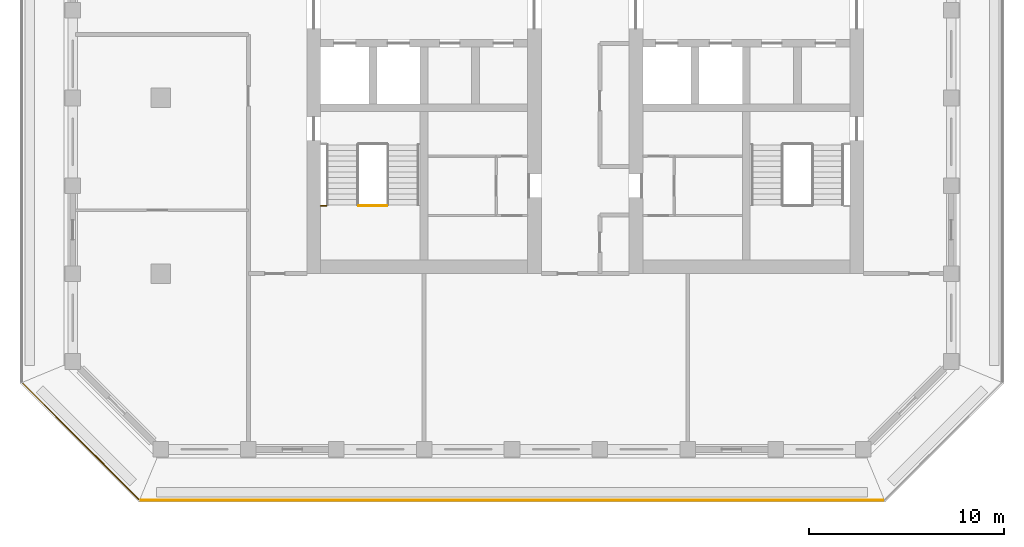
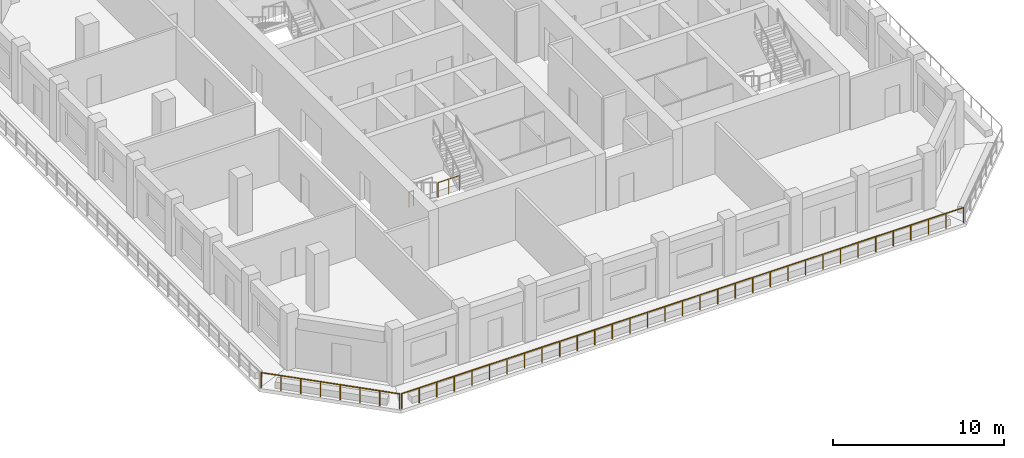
# One storey, part 8 of 14: 4 railings.
"""IFC4 building model written with IfcOpenShell, lengths in metres."""

from ifc_helpers import new_model, si_unit, direction, frame, origin, origin_2d, place, context, subcontext, project, spatial, circle, extrude, material, type_object, element, save


model = new_model("IFC4")

# Units and contexts
model_context = context("Model", 3, precision=1e-05, world=origin(), true_north=direction((0.0, 1.0)))
body_context = subcontext(model_context, "Body", "Model", "MODEL_VIEW")
ifc_project = project(units=[si_unit("LENGTHUNIT", "METRE"), si_unit("AREAUNIT", "SQUARE_METRE"), si_unit("VOLUMEUNIT", "CUBIC_METRE"), si_unit("PLANEANGLEUNIT", "RADIAN"), si_unit("MASSUNIT", "GRAM", prefix="KILO")], contexts=[model_context])

# Site, building, storey
site_placement = place(None, origin())
site = spatial("IfcSite", under=ifc_project, at=site_placement, CompositionType="ELEMENT")
building_placement = place(site_placement, origin())
building = spatial("IfcBuilding", under=site, at=building_placement, Name="Corbel Stack Research Tower", CompositionType="ELEMENT")
storey_placement = place(building_placement, frame((0.0, 0.0, 278.60009765625)))
storey = spatial("IfcBuildingStorey", under=building, at=storey_placement, Name="L63", CompositionType="ELEMENT", Elevation=278.60009765625)

# Railings
ifc_material_1 = material(Name="Steel S355", Category="steel")
railing_type_1 = type_object("IfcRailingType", Name="Stair guard 1100", PredefinedType="GUARDRAIL", material=ifc_material_1)
railing_1_placement = place(storey_placement, frame((-7.85009765625, -5.530029296875, 2.0498046875)))
element("IfcRailing", 1, at=railing_1_placement, inside=storey, type_object=railing_type_1, Name="L63 ST-W1 stair guard 2", PredefinedType="GUARDRAIL", context=body_context, shape_type="SweptSolid", body=[
    extrude(circle(Radius=0.02392578125, at=origin_2d()), frame((0.0, 0.0, 1.076171875), z_axis=(1.0, 0.0, 0.0), x_axis=(0.0, 1.0, 0.0)), (0.0, 0.0, 1.0), 1.4501953125),
    extrude(circle(Radius=0.02099609375, at=origin_2d()), origin(), (0.0, 0.0, 1.0), 1.052001953125),
    extrude(circle(Radius=0.02099609375, at=origin_2d()), frame((0.72509765625, 0.0, 0.0)), (0.0, 0.0, 1.0), 1.052001953125),
    extrude(circle(Radius=0.02099609375, at=origin_2d()), frame((1.4501953125, 0.0, 0.0)), (0.0, 0.0, 1.0), 1.052001953125),
])
railing_2_placement = place(storey_placement, frame((-9.800048828125, -5.530029296875, 2.0498046875)))
element("IfcRailing", 2, at=railing_2_placement, inside=storey, type_object=railing_type_1, Name="L63 ST-W1 stair guard 3", PredefinedType="GUARDRAIL", context=body_context, shape_type="SweptSolid", body=[
    extrude(circle(Radius=0.02392578125, at=origin_2d()), frame((0.0, 0.0, 1.076171875), z_axis=(1.0, 0.0, 0.0), x_axis=(0.0, 1.0, 0.0)), (0.0, 0.0, 1.0), 0.300048828125),
    extrude(circle(Radius=0.02099609375, at=origin_2d()), origin(), (0.0, 0.0, 1.0), 1.052001953125),
    extrude(circle(Radius=0.02099609375, at=origin_2d()), frame((0.300048828125, 0.0, 0.0)), (0.0, 0.0, 1.0), 1.052001953125),
])
ifc_material_2 = material(Name="Powder-coated steel guard", Category="steel")
railing_type_2 = type_object("IfcRailingType", Name="Steel and glass guard 1100", PredefinedType="GUARDRAIL", material=ifc_material_2)
railing_3_placement = place(storey_placement, frame((-19.00537109375, -20.60009765625, 0.0)))
element("IfcRailing", 3, at=railing_3_placement, inside=storey, type_object=railing_type_2, Name="Loggia guard L63 S", PredefinedType="GUARDRAIL", context=body_context, shape_type="SweptSolid", body=[
    extrude(circle(Radius=0.02392578125, at=origin_2d()), frame((0.0, 0.0, 1.076171875), z_axis=(1.0, 0.0, 0.0), x_axis=(0.0, 1.0, 0.0)), (0.0, 0.0, 1.0), 38.0107421875),
    extrude(circle(Radius=0.02099609375, at=origin_2d()), origin(), (0.0, 0.0, 1.0), 1.052001953125),
    extrude(circle(Radius=0.02099609375, at=origin_2d()), frame((1.187744140625, 0.0, 0.0)), (0.0, 0.0, 1.0), 1.052001953125),
    extrude(circle(Radius=0.02099609375, at=origin_2d()), frame((2.375732421875, 0.0, 0.0)), (0.0, 0.0, 1.0), 1.052001953125),
    extrude(circle(Radius=0.02099609375, at=origin_2d()), frame((3.5634765625, 0.0, 0.0)), (0.0, 0.0, 1.0), 1.052001953125),
    extrude(circle(Radius=0.02099609375, at=origin_2d()), frame((4.75146484375, 0.0, 0.0)), (0.0, 0.0, 1.0), 1.052001953125),
    extrude(circle(Radius=0.02099609375, at=origin_2d()), frame((5.939208984375, 0.0, 0.0)), (0.0, 0.0, 1.0), 1.052001953125),
    extrude(circle(Radius=0.02099609375, at=origin_2d()), frame((7.126953125, 0.0, 0.0)), (0.0, 0.0, 1.0), 1.052001953125),
    extrude(circle(Radius=0.02099609375, at=origin_2d()), frame((8.31494140625, 0.0, 0.0)), (0.0, 0.0, 1.0), 1.052001953125),
    extrude(circle(Radius=0.02099609375, at=origin_2d()), frame((9.502685546875, 0.0, 0.0)), (0.0, 0.0, 1.0), 1.052001953125),
    extrude(circle(Radius=0.02099609375, at=origin_2d()), frame((10.6904296875, 0.0, 0.0)), (0.0, 0.0, 1.0), 1.052001953125),
    extrude(circle(Radius=0.02099609375, at=origin_2d()), frame((11.87841796875, 0.0, 0.0)), (0.0, 0.0, 1.0), 1.052001953125),
    extrude(circle(Radius=0.02099609375, at=origin_2d()), frame((13.066162109375, 0.0, 0.0)), (0.0, 0.0, 1.0), 1.052001953125),
    extrude(circle(Radius=0.02099609375, at=origin_2d()), frame((14.25390625, 0.0, 0.0)), (0.0, 0.0, 1.0), 1.052001953125),
    extrude(circle(Radius=0.02099609375, at=origin_2d()), frame((15.44189453125, 0.0, 0.0)), (0.0, 0.0, 1.0), 1.052001953125),
    extrude(circle(Radius=0.02099609375, at=origin_2d()), frame((16.629638671875, 0.0, 0.0)), (0.0, 0.0, 1.0), 1.052001953125),
    extrude(circle(Radius=0.02099609375, at=origin_2d()), frame((17.817626953125, 0.0, 0.0)), (0.0, 0.0, 1.0), 1.052001953125),
    extrude(circle(Radius=0.02099609375, at=origin_2d()), frame((19.00537109375, 0.0, 0.0)), (0.0, 0.0, 1.0), 1.052001953125),
    extrude(circle(Radius=0.02099609375, at=origin_2d()), frame((20.193115234375, 0.0, 0.0)), (0.0, 0.0, 1.0), 1.052001953125),
    extrude(circle(Radius=0.02099609375, at=origin_2d()), frame((21.381103515625, 0.0, 0.0)), (0.0, 0.0, 1.0), 1.052001953125),
    extrude(circle(Radius=0.02099609375, at=origin_2d()), frame((22.56884765625, 0.0, 0.0)), (0.0, 0.0, 1.0), 1.052001953125),
    extrude(circle(Radius=0.02099609375, at=origin_2d()), frame((23.7568359375, 0.0, 0.0)), (0.0, 0.0, 1.0), 1.052001953125),
    extrude(circle(Radius=0.02099609375, at=origin_2d()), frame((24.944580078125, 0.0, 0.0)), (0.0, 0.0, 1.0), 1.052001953125),
    extrude(circle(Radius=0.02099609375, at=origin_2d()), frame((26.13232421875, 0.0, 0.0)), (0.0, 0.0, 1.0), 1.052001953125),
    extrude(circle(Radius=0.02099609375, at=origin_2d()), frame((27.3203125, 0.0, 0.0)), (0.0, 0.0, 1.0), 1.052001953125),
    extrude(circle(Radius=0.02099609375, at=origin_2d()), frame((28.508056640625, 0.0, 0.0)), (0.0, 0.0, 1.0), 1.052001953125),
    extrude(circle(Radius=0.02099609375, at=origin_2d()), frame((29.69580078125, 0.0, 0.0)), (0.0, 0.0, 1.0), 1.052001953125),
    extrude(circle(Radius=0.02099609375, at=origin_2d()), frame((30.8837890625, 0.0, 0.0)), (0.0, 0.0, 1.0), 1.052001953125),
    extrude(circle(Radius=0.02099609375, at=origin_2d()), frame((32.071533203125, 0.0, 0.0)), (0.0, 0.0, 1.0), 1.052001953125),
    extrude(circle(Radius=0.02099609375, at=origin_2d()), frame((33.25927734375, 0.0, 0.0)), (0.0, 0.0, 1.0), 1.052001953125),
    extrude(circle(Radius=0.02099609375, at=origin_2d()), frame((34.447265625, 0.0, 0.0)), (0.0, 0.0, 1.0), 1.052001953125),
    extrude(circle(Radius=0.02099609375, at=origin_2d()), frame((35.635009765625, 0.0, 0.0)), (0.0, 0.0, 1.0), 1.052001953125),
    extrude(circle(Radius=0.02099609375, at=origin_2d()), frame((36.822998046875, 0.0, 0.0)), (0.0, 0.0, 1.0), 1.052001953125),
    extrude(circle(Radius=0.02099609375, at=origin_2d()), frame((38.0107421875, 0.0, 0.0)), (0.0, 0.0, 1.0), 1.052001953125),
])
railing_4_placement = place(storey_placement, frame((-25.04931640625, -14.627685546875, 0.0)))
element("IfcRailing", 4, at=railing_4_placement, inside=storey, type_object=railing_type_2, Name="Loggia guard L63 SW", PredefinedType="GUARDRAIL", context=body_context, shape_type="SweptSolid", body=[
    extrude(circle(Radius=0.02392578125, at=origin_2d()), frame((0.0, 0.0, 1.076171875), z_axis=(0.707106781187, -0.707106781187, 0.0), x_axis=(0.707106781187, 0.707106781187, 0.0)), (0.0, 0.0, 1.0), 8.37451171875),
    extrude(circle(Radius=0.02099609375, at=origin_2d()), origin(), (0.0, 0.0, 1.0), 1.052001953125),
    extrude(circle(Radius=0.02099609375, at=origin_2d()), frame((0.845947265625, -0.845947265625, 0.0)), (0.0, 0.0, 1.0), 1.052001953125),
    extrude(circle(Radius=0.02099609375, at=origin_2d()), frame((1.69189453125, -1.69189453125, 0.0)), (0.0, 0.0, 1.0), 1.052001953125),
    extrude(circle(Radius=0.02099609375, at=origin_2d()), frame((2.537841796875, -2.537841796875, 0.0)), (0.0, 0.0, 1.0), 1.052001953125),
    extrude(circle(Radius=0.02099609375, at=origin_2d()), frame((3.3837890625, -3.3837890625, 0.0)), (0.0, 0.0, 1.0), 1.052001953125),
    extrude(circle(Radius=0.02099609375, at=origin_2d()), frame((4.229736328125, -4.229736328125, 0.0)), (0.0, 0.0, 1.0), 1.052001953125),
    extrude(circle(Radius=0.02099609375, at=origin_2d()), frame((5.07568359375, -5.07568359375, 0.0)), (0.0, 0.0, 1.0), 1.052001953125),
    extrude(circle(Radius=0.02099609375, at=origin_2d()), frame((5.921630859375, -5.921630859375, 0.0)), (0.0, 0.0, 1.0), 1.052001953125),
])

save(model, "model.ifc")
